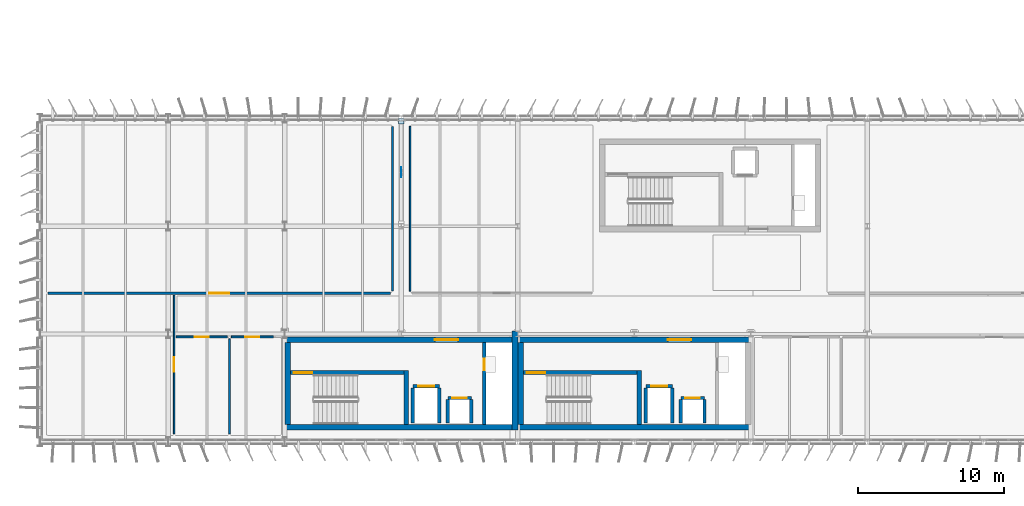
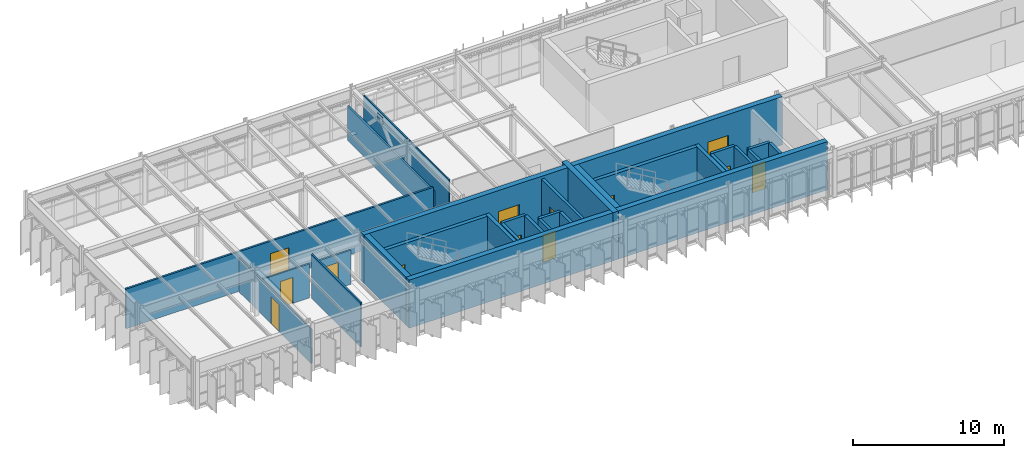
# One storey, part 32 of 45: 31 walls, 13 doors, 2 plates, 13 openings.
"""IFC4 building model written with IfcOpenShell, lengths in metres."""

from ifc_helpers import new_model, si_unit, direction, frame, frame_2d, origin, origin_2d, place, context, subcontext, project, spatial, rectangle, extrude, material, layer, layer_set, type_object, element, fill, save


model = new_model("IFC4")

# Units and contexts
model_context = context("Model", 3, precision=1e-05, world=origin(), true_north=direction((0.0, 1.0)))
body_context = subcontext(model_context, "Body", "Model", "MODEL_VIEW")
ifc_project = project(units=[si_unit("LENGTHUNIT", "METRE"), si_unit("AREAUNIT", "SQUARE_METRE"), si_unit("VOLUMEUNIT", "CUBIC_METRE"), si_unit("PLANEANGLEUNIT", "RADIAN"), si_unit("MASSUNIT", "GRAM", prefix="KILO")], contexts=[model_context])

# Site, building, storey
site_placement = place(None, origin())
site = spatial("IfcSite", under=ifc_project, at=site_placement, CompositionType="ELEMENT")
building_placement = place(site_placement, origin())
building = spatial("IfcBuilding", under=site, at=building_placement, Name="Valkorina Park Police Headquarters", CompositionType="ELEMENT")
storey_placement = place(building_placement, frame((0.0, 0.0, 23.300048828125)))
storey = spatial("IfcBuildingStorey", under=building, at=storey_placement, Name="L06", CompositionType="ELEMENT", Elevation=23.300048828125)

# Plates
ifc_material_1 = material(Name="Steel S355", Category="steel")
ifc_layer_1 = layer(ifc_material_1, 0.02001953125)
ifc_layer_set_1 = layer_set([ifc_layer_1], Name="Steel S355")
plate_type_1 = type_object("IfcPlateType", Name="PL-ENDCAP-20", PredefinedType="USERDEFINED", material=ifc_layer_set_1)
plate_1_placement = place(storey_placement, frame((24.800048828125, 59.02001953125, 0.08984375), z_axis=(0.0, 0.0, 1.0), x_axis=(1.0, 0.0, 0.0)))
element("IfcPlate", 1, at=plate_1_placement, inside=storey, type_object=plate_type_1, Name="Brace Base End Cap Plate 212", ObjectType="END CAP PLATE", PredefinedType="USERDEFINED", context=body_context, shape_type="SweptSolid", body=[
    extrude(rectangle(XDim=0.3798828125, YDim=0.3798828125, at=origin_2d()), origin(), (0.0, 0.0, 1.0), 0.02001953125),
])
ifc_layer_2 = layer(ifc_material_1, 0.01611328125)
ifc_layer_set_2 = layer_set([ifc_layer_2], Name="Steel S355")
plate_type_2 = type_object("IfcPlateType", Name="PL-GUSSET-16", PredefinedType="USERDEFINED", material=ifc_layer_set_2)
plate_2_placement = place(storey_placement, frame((24.800048828125, 55.5, 3.18505859375), z_axis=(0.0, 0.0, 1.0), x_axis=(1.0, 0.0, 0.0)))
element("IfcPlate", 2, at=plate_2_placement, inside=storey, type_object=plate_type_2, Name="Chevron Apex Gusset Plate CBF-12 213", ObjectType="GUSSET PLATE", PredefinedType="USERDEFINED", context=body_context, shape_type="SweptSolid", body=[
    extrude(rectangle(XDim=0.01611328125, YDim=0.699951171875, at=origin_2d()), origin(), (0.0, 0.0, 1.0), 0.550048828125),
])

# Wall, opening, door
ifc_material_2 = material(Name="Acoustic mineral board")
ifc_layer_3 = layer(ifc_material_2, 0.14990234375)
ifc_layer_set_3 = layer_set([ifc_layer_3], Name="Acoustic mineral board")
wall_type_1 = type_object("IfcWallType", Name="WL-ACOUST-150-EI30", PredefinedType="PARTITIONING", material=ifc_layer_set_3)
wall_1_placement = place(storey_placement, frame((0.5400390625, 47.199951171875, 0.0), z_axis=(0.0, 0.0, 1.0), x_axis=(1.0, 0.0, 0.0)))
wall_1 = element("IfcWall", 3, at=wall_1_placement, inside=storey, type_object=wall_type_1, Name="L06 Interior Partition 0243 (L06-MAJ-01)", PredefinedType="PARTITIONING", context=body_context, shape_type="SweptSolid", body=[
    extrude(rectangle(XDim=23.52001953125, YDim=0.14990234375, at=frame_2d((11.760009765625, 0.0))), origin(), (0.0, 0.0, 1.0), 3.2099609375),
])
opening_1_placement = place(wall_1_placement, frame((11.06005859375, 0.0, 0.0)))
opening_1 = element("IfcOpeningElement", 4, at=opening_1_placement, cuts=wall_1, Name="Opening ID-07", PredefinedType="OPENING", context=body_context, shape_type="SweptSolid", body=[
    extrude(rectangle(XDim=1.39990234375, YDim=2.199951171875, at=frame_2d((0.699951171875, 1.10009765625))), frame((0.0, 0.0849609375, 0.0), z_axis=(0.0, -1.0, 0.0), x_axis=(1.0, 0.0, 0.0)), (0.0, 0.0, 1.0), 0.169921875),
])
ifc_material_3 = material(Name="Thermally broken aluminium AW-6060", Category="aluminium")
ifc_layer_4 = layer(ifc_material_3, 0.050048828125)
ifc_layer_set_4 = layer_set([ifc_layer_4], Name="Thermally broken aluminium AW-6060")
door_type_1 = type_object("IfcDoorType", Name="DR-INT-CONF-1400x2200", OperationType="NOTDEFINED", PredefinedType="DOOR", material=ifc_layer_set_4)
door_1_placement = place(opening_1_placement, origin())
door_1 = element("IfcDoor", 5, at=door_1_placement, inside=storey, type_object=door_type_1, Name="Door D-L06-I116 (L06-MAJ-01)", OperationType="SINGLE_SWING_LEFT", OverallHeight=2.199951171875, OverallWidth=1.39990234375, PredefinedType="DOOR", context=body_context, shape_type="SweptSolid", body=[
    extrude(rectangle(XDim=1.39990234375, YDim=2.199951171875, at=frame_2d((0.699951171875, 1.10009765625))), frame((0.0, 0.02490234375, 0.0), z_axis=(0.0, -1.0, 0.0), x_axis=(1.0, 0.0, 0.0)), (0.0, 0.0, 1.0), 0.050048828125),
])
fill(opening_1, door_1)

# Wall
wall_2_placement = place(storey_placement, frame((24.199951171875, 47.340087890625, 0.0), z_axis=(0.0, 0.0, 1.0), x_axis=(0.0, 1.0, 0.0)))
element("IfcWall", 6, at=wall_2_placement, inside=storey, type_object=wall_type_1, Name="L06 Interior Partition 0244 (L06-MAJ-01)", PredefinedType="PARTITIONING", context=body_context, shape_type="SweptSolid", body=[
    extrude(rectangle(XDim=11.31982421875, YDim=0.14990234375, at=frame_2d((5.659912109375, 0.0))), origin(), (0.0, 0.0, 1.0), 2.760009765625),
])

# Wall, opening, door
ifc_material_4 = material(Name="Autoclaved aerated concrete masonry", Category="masonry")
ifc_layer_5 = layer(ifc_material_4, 0.219970703125)
ifc_layer_set_5 = layer_set([ifc_layer_5], Name="Autoclaved aerated concrete masonry")
wall_type_2 = type_object("IfcWallType", Name="WL-CHASE-220-EI60", PredefinedType="PLUMBINGWALL", material=ifc_layer_set_5)
wall_3_placement = place(storey_placement, frame((25.590087890625, 40.81005859375, 0.0), z_axis=(0.0, 0.0, 1.0), x_axis=(1.0, 0.0, 0.0)))
wall_3 = element("IfcWall", 7, at=wall_3_placement, inside=storey, type_object=wall_type_2, Name="Lift LF-01 L06 Shaft Front Wall", PredefinedType="PLUMBINGWALL", context=body_context, shape_type="SweptSolid", body=[
    extrude(rectangle(XDim=1.81982421875, YDim=0.219970703125, at=frame_2d((0.909912109375, 0.0))), origin(), (0.0, 0.0, 1.0), 3.679931640625),
])
opening_2_placement = place(wall_3_placement, frame((0.360107421875, 0.0, 0.0)))
opening_2 = element("IfcOpeningElement", 8, at=opening_2_placement, cuts=wall_3, Name="Opening LD-01", PredefinedType="OPENING", context=body_context, shape_type="SweptSolid", body=[
    extrude(rectangle(XDim=1.10009765625, YDim=2.199951171875, at=frame_2d((0.550048828125, 1.10009765625))), frame((0.0, 0.1201171875, 0.0), z_axis=(0.0, -1.0, 0.0), x_axis=(1.0, 0.0, 0.0)), (0.0, 0.0, 1.0), 0.239990234375),
])
ifc_material_5 = material(Name="Stainless steel EN 1.4404", Category="steel")
ifc_layer_6 = layer(ifc_material_5, 0.050048828125)
ifc_layer_set_6 = layer_set([ifc_layer_6], Name="Stainless steel EN 1.4404")
door_type_2 = type_object("IfcDoorType", Name="DR-LIFT-FF-1100x2200", OperationType="NOTDEFINED", PredefinedType="DOOR", material=ifc_layer_set_6)
door_2_placement = place(opening_2_placement, origin())
door_2 = element("IfcDoor", 9, at=door_2_placement, inside=storey, type_object=door_type_2, Name="Lift Landing Door LF-01-L06", OperationType="DOUBLE_DOOR_SLIDING", OverallHeight=2.199951171875, OverallWidth=1.10009765625, PredefinedType="DOOR", context=body_context, shape_type="SweptSolid", body=[
    extrude(rectangle(XDim=1.10009765625, YDim=2.199951171875, at=frame_2d((0.550048828125, 1.10009765625))), frame((0.0, 0.02490234375, 0.0), z_axis=(0.0, -1.0, 0.0), x_axis=(1.0, 0.0, 0.0)), (0.0, 0.0, 1.0), 0.050048828125),
])
fill(opening_2, door_2)

# Walls
for number, where, z_axis, x_axis, name in (
    (10, (25.590087890625, 38.300048828125, 0.0), (0.0, 0.0, 1.0), (0.0, 1.0, 0.0), "Lift LF-01 L06 Shaft Side Wall W"),
    (11, (27.409912109375, 38.300048828125, 0.0), (0.0, 0.0, 1.0), (0.0, 1.0, 0.0), "Lift LF-01 L06 Shaft Side Wall E"),
):
    element("IfcWall", number, at=place(storey_placement, frame(where, z_axis=z_axis, x_axis=x_axis)), inside=storey, type_object=wall_type_2, Name=name, PredefinedType="PLUMBINGWALL", context=body_context, shape_type="SweptSolid", body=[
        extrude(rectangle(XDim=2.39990234375, YDim=0.219970703125, at=frame_2d((1.199951171875, 0.0))), origin(), (0.0, 0.0, 1.0), 3.679931640625),
    ])

# Wall, opening, door
wall_4_placement = place(storey_placement, frame((27.989990234375, 40.010009765625, 0.0), z_axis=(0.0, 0.0, 1.0), x_axis=(1.0, 0.0, 0.0)))
wall_4 = element("IfcWall", 12, at=wall_4_placement, inside=storey, type_object=wall_type_2, Name="Lift LF-03 L06 Shaft Front Wall", PredefinedType="PLUMBINGWALL", context=body_context, shape_type="SweptSolid", body=[
    extrude(rectangle(XDim=1.6201171875, YDim=0.219970703125, at=frame_2d((0.81005859375, 0.0))), origin(), (0.0, 0.0, 1.0), 3.679931640625),
])
opening_3_placement = place(wall_4_placement, frame((0.31005859375, 0.0, 0.0)))
opening_3 = element("IfcOpeningElement", 13, at=opening_3_placement, cuts=wall_4, Name="Opening LD-02", PredefinedType="OPENING", context=body_context, shape_type="SweptSolid", body=[
    extrude(rectangle(XDim=1.0, YDim=2.199951171875, at=frame_2d((0.5, 1.10009765625))), frame((0.0, 0.1201171875, 0.0), z_axis=(0.0, -1.0, 0.0), x_axis=(1.0, 0.0, 0.0)), (0.0, 0.0, 1.0), 0.239990234375),
])
ifc_layer_7 = layer(ifc_material_5, 0.050048828125)
ifc_layer_set_7 = layer_set([ifc_layer_7], Name="Stainless steel EN 1.4404")
door_type_3 = type_object("IfcDoorType", Name="DR-LIFT-PAX-1000x2200", OperationType="NOTDEFINED", PredefinedType="DOOR", material=ifc_layer_set_7)
door_3_placement = place(opening_3_placement, origin())
door_3 = element("IfcDoor", 14, at=door_3_placement, inside=storey, type_object=door_type_3, Name="Lift Landing Door LF-03-L06", OperationType="DOUBLE_DOOR_SLIDING", OverallHeight=2.199951171875, OverallWidth=1.0, PredefinedType="DOOR", context=body_context, shape_type="SweptSolid", body=[
    extrude(rectangle(XDim=1.0, YDim=2.199951171875, at=frame_2d((0.5, 1.10009765625))), frame((0.0, 0.02490234375, 0.0), z_axis=(0.0, -1.0, 0.0), x_axis=(1.0, 0.0, 0.0)), (0.0, 0.0, 1.0), 0.050048828125),
])
fill(opening_3, door_3)

# Walls
for number, where, z_axis, x_axis, name in (
    (15, (27.989990234375, 38.300048828125, 0.0), (0.0, 0.0, 1.0), (0.0, 1.0, 0.0), "Lift LF-03 L06 Shaft Side Wall W"),
    (16, (29.610107421875, 38.300048828125, 0.0), (0.0, 0.0, 1.0), (0.0, 1.0, 0.0), "Lift LF-03 L06 Shaft Side Wall E"),
):
    element("IfcWall", number, at=place(storey_placement, frame(where, z_axis=z_axis, x_axis=x_axis)), inside=storey, type_object=wall_type_2, Name=name, PredefinedType="PLUMBINGWALL", context=body_context, shape_type="SweptSolid", body=[
        extrude(rectangle(XDim=1.599853515625, YDim=0.219970703125, at=frame_2d((0.7998046875, 0.0))), origin(), (0.0, 0.0, 1.0), 3.679931640625),
    ])

# Wall, opening, door
wall_5_placement = place(storey_placement, frame((30.489990234375, 38.199951171875, 0.0), z_axis=(0.0, 0.0, 1.0), x_axis=(0.0, 1.0, 0.0)))
wall_5 = element("IfcWall", 17, at=wall_5_placement, inside=storey, type_object=wall_type_2, Name="Core C1 L06 Riser Shaft West Wall", PredefinedType="PLUMBINGWALL", context=body_context, shape_type="SweptSolid", body=[
    extrude(rectangle(XDim=5.60009765625, YDim=0.219970703125, at=frame_2d((2.800048828125, 0.0))), origin(), (0.0, 0.0, 1.0), 3.679931640625),
])
opening_4_placement = place(wall_5_placement, frame((3.699951171875, 0.0, 0.0)))
opening_4 = element("IfcOpeningElement", 18, at=opening_4_placement, cuts=wall_5, Name="Opening ID-01", PredefinedType="OPENING", context=body_context, shape_type="SweptSolid", body=[
    extrude(rectangle(XDim=0.800048828125, YDim=2.10009765625, at=frame_2d((0.39990234375, 1.050048828125))), frame((0.0, 0.1201171875, 0.0), z_axis=(0.0, -1.0, 0.0), x_axis=(1.0, 0.0, 0.0)), (0.0, 0.0, 1.0), 0.239990234375),
])
ifc_material_6 = material(Name="Galvanized steel door leaf", Category="steel")
ifc_layer_8 = layer(ifc_material_6, 0.050048828125)
ifc_layer_set_8 = layer_set([ifc_layer_8], Name="Galvanized steel door leaf")
door_type_4 = type_object("IfcDoorType", Name="DR-INT-RISER-800x2100", OperationType="NOTDEFINED", PredefinedType="DOOR", material=ifc_layer_set_8)
door_4_placement = place(opening_4_placement, origin())
door_4 = element("IfcDoor", 19, at=door_4_placement, inside=storey, type_object=door_type_4, Name="Riser Shaft Access Door C1-L06", OperationType="SINGLE_SWING_LEFT", OverallHeight=2.10009765625, OverallWidth=0.800048828125, PredefinedType="DOOR", context=body_context, shape_type="SweptSolid", body=[
    extrude(rectangle(XDim=0.800048828125, YDim=2.10009765625, at=frame_2d((0.39990234375, 1.050048828125))), frame((0.0, 0.02490234375, 0.0), z_axis=(0.0, -1.0, 0.0), x_axis=(1.0, 0.0, 0.0)), (0.0, 0.0, 1.0), 0.050048828125),
])
fill(opening_4, door_4)

wall_6_placement = place(storey_placement, frame((41.590087890625, 40.81005859375, 0.0), z_axis=(0.0, 0.0, 1.0), x_axis=(1.0, 0.0, 0.0)))
wall_6 = element("IfcWall", 20, at=wall_6_placement, inside=storey, type_object=wall_type_2, Name="Lift LF-02 L06 Shaft Front Wall", PredefinedType="PLUMBINGWALL", context=body_context, shape_type="SweptSolid", body=[
    extrude(rectangle(XDim=1.81982421875, YDim=0.219970703125, at=frame_2d((0.909912109375, 0.0))), origin(), (0.0, 0.0, 1.0), 3.679931640625),
])
opening_5_placement = place(wall_6_placement, frame((0.360107421875, 0.0, 0.0)))
opening_5 = element("IfcOpeningElement", 21, at=opening_5_placement, cuts=wall_6, Name="Opening LD-01", PredefinedType="OPENING", context=body_context, shape_type="SweptSolid", body=[
    extrude(rectangle(XDim=1.10009765625, YDim=2.199951171875, at=frame_2d((0.550048828125, 1.10009765625))), frame((0.0, 0.1201171875, 0.0), z_axis=(0.0, -1.0, 0.0), x_axis=(1.0, 0.0, 0.0)), (0.0, 0.0, 1.0), 0.239990234375),
])
door_5_placement = place(opening_5_placement, origin())
door_5 = element("IfcDoor", 22, at=door_5_placement, inside=storey, type_object=door_type_2, Name="Lift Landing Door LF-02-L06", OperationType="DOUBLE_DOOR_SLIDING", OverallHeight=2.199951171875, OverallWidth=1.10009765625, PredefinedType="DOOR", context=body_context, shape_type="SweptSolid", body=[
    extrude(rectangle(XDim=1.10009765625, YDim=2.199951171875, at=frame_2d((0.550048828125, 1.10009765625))), frame((0.0, 0.02490234375, 0.0), z_axis=(0.0, -1.0, 0.0), x_axis=(1.0, 0.0, 0.0)), (0.0, 0.0, 1.0), 0.050048828125),
])
fill(opening_5, door_5)

# Walls
for number, where, z_axis, x_axis, name in (
    (23, (41.590087890625, 38.300048828125, 0.0), (0.0, 0.0, 1.0), (0.0, 1.0, 0.0), "Lift LF-02 L06 Shaft Side Wall W"),
    (24, (43.409912109375, 38.300048828125, 0.0), (0.0, 0.0, 1.0), (0.0, 1.0, 0.0), "Lift LF-02 L06 Shaft Side Wall E"),
):
    element("IfcWall", number, at=place(storey_placement, frame(where, z_axis=z_axis, x_axis=x_axis)), inside=storey, type_object=wall_type_2, Name=name, PredefinedType="PLUMBINGWALL", context=body_context, shape_type="SweptSolid", body=[
        extrude(rectangle(XDim=2.39990234375, YDim=0.219970703125, at=frame_2d((1.199951171875, 0.0))), origin(), (0.0, 0.0, 1.0), 3.679931640625),
    ])

# Wall, opening, door
wall_7_placement = place(storey_placement, frame((43.989990234375, 40.010009765625, 0.0), z_axis=(0.0, 0.0, 1.0), x_axis=(1.0, 0.0, 0.0)))
wall_7 = element("IfcWall", 25, at=wall_7_placement, inside=storey, type_object=wall_type_2, Name="Lift LF-04 L06 Shaft Front Wall", PredefinedType="PLUMBINGWALL", context=body_context, shape_type="SweptSolid", body=[
    extrude(rectangle(XDim=1.6201171875, YDim=0.219970703125, at=frame_2d((0.81005859375, 0.0))), origin(), (0.0, 0.0, 1.0), 3.679931640625),
])
opening_6_placement = place(wall_7_placement, frame((0.31005859375, 0.0, 0.0)))
opening_6 = element("IfcOpeningElement", 26, at=opening_6_placement, cuts=wall_7, Name="Opening LD-02", PredefinedType="OPENING", context=body_context, shape_type="SweptSolid", body=[
    extrude(rectangle(XDim=1.0, YDim=2.199951171875, at=frame_2d((0.5, 1.10009765625))), frame((0.0, 0.1201171875, 0.0), z_axis=(0.0, -1.0, 0.0), x_axis=(1.0, 0.0, 0.0)), (0.0, 0.0, 1.0), 0.239990234375),
])
door_6_placement = place(opening_6_placement, origin())
door_6 = element("IfcDoor", 27, at=door_6_placement, inside=storey, type_object=door_type_3, Name="Lift Landing Door LF-04-L06", OperationType="DOUBLE_DOOR_SLIDING", OverallHeight=2.199951171875, OverallWidth=1.0, PredefinedType="DOOR", context=body_context, shape_type="SweptSolid", body=[
    extrude(rectangle(XDim=1.0, YDim=2.199951171875, at=frame_2d((0.5, 1.10009765625))), frame((0.0, 0.02490234375, 0.0), z_axis=(0.0, -1.0, 0.0), x_axis=(1.0, 0.0, 0.0)), (0.0, 0.0, 1.0), 0.050048828125),
])
fill(opening_6, door_6)

# Walls
for number, where, z_axis, x_axis, name in (
    (28, (43.989990234375, 38.300048828125, 0.0), (0.0, 0.0, 1.0), (0.0, 1.0, 0.0), "Lift LF-04 L06 Shaft Side Wall W"),
    (29, (45.610107421875, 38.300048828125, 0.0), (0.0, 0.0, 1.0), (0.0, 1.0, 0.0), "Lift LF-04 L06 Shaft Side Wall E"),
):
    element("IfcWall", number, at=place(storey_placement, frame(where, z_axis=z_axis, x_axis=x_axis)), inside=storey, type_object=wall_type_2, Name=name, PredefinedType="PLUMBINGWALL", context=body_context, shape_type="SweptSolid", body=[
        extrude(rectangle(XDim=1.599853515625, YDim=0.219970703125, at=frame_2d((0.7998046875, 0.0))), origin(), (0.0, 0.0, 1.0), 3.679931640625),
    ])
ifc_material_7 = material(Name="Concrete C40/50", Category="concrete")
ifc_layer_9 = layer(ifc_material_7, 0.39990234375)
ifc_layer_set_9 = layer_set([ifc_layer_9], Name="Concrete C40/50")
wall_type_3 = type_object("IfcWallType", Name="WL-CORE-400-REI180", PredefinedType="SHEAR", material=ifc_layer_set_9)
wall_8_placement = place(storey_placement, frame((16.800048828125, 38.0, 0.0), z_axis=(0.0, 0.0, 1.0), x_axis=(1.0, 0.0, 0.0)))
element("IfcWall", 30, at=wall_8_placement, inside=storey, type_object=wall_type_3, Name="Core C1 L06 Shear Wall S", PredefinedType="SHEAR", context=body_context, shape_type="SweptSolid", body=[
    extrude(rectangle(XDim=16.39990234375, YDim=0.39990234375, at=frame_2d((8.199951171875, 0.0))), origin(), (0.0, 0.0, 1.0), 3.89501953125),
])

# Wall, opening, door
wall_9_placement = place(storey_placement, frame((16.800048828125, 44.0, 0.0), z_axis=(0.0, 0.0, 1.0), x_axis=(1.0, 0.0, 0.0)))
wall_9 = element("IfcWall", 31, at=wall_9_placement, inside=storey, type_object=wall_type_3, Name="Core C1 L06 Shear Wall N", PredefinedType="SHEAR", context=body_context, shape_type="SweptSolid", body=[
    extrude(rectangle(XDim=16.39990234375, YDim=0.39990234375, at=frame_2d((8.199951171875, 0.0))), origin(), (0.0, 0.0, 1.0), 3.89501953125),
])
opening_7_placement = place(wall_9_placement, frame((10.300048828125, 0.0, 0.0)))
opening_7 = element("IfcOpeningElement", 32, at=opening_7_placement, cuts=wall_9, Name="Opening FD-04", PredefinedType="OPENING", context=body_context, shape_type="SweptSolid", body=[
    extrude(rectangle(XDim=1.60009765625, YDim=2.199951171875, at=frame_2d((0.800048828125, 1.10009765625))), frame((0.0, 0.2099609375, 0.0), z_axis=(0.0, -1.0, 0.0), x_axis=(1.0, 0.0, 0.0)), (0.0, 0.0, 1.0), 0.419921875),
])
ifc_layer_10 = layer(ifc_material_6, 0.050048828125)
ifc_layer_set_10 = layer_set([ifc_layer_10], Name="Galvanized steel door leaf")
door_type_5 = type_object("IfcDoorType", Name="DR-FIRE-FFL-1600x2200", OperationType="NOTDEFINED", PredefinedType="DOOR", material=ifc_layer_set_10)
door_7_placement = place(opening_7_placement, origin())
door_7 = element("IfcDoor", 33, at=door_7_placement, inside=storey, type_object=door_type_5, Name="Door D-L06-FFL-C1 (Firefighting Lift Lobby Door)", OperationType="DOUBLE_DOOR_SINGLE_SWING", OverallHeight=2.199951171875, OverallWidth=1.60009765625, PredefinedType="DOOR", context=body_context, shape_type="SweptSolid", body=[
    extrude(rectangle(XDim=1.60009765625, YDim=2.199951171875, at=frame_2d((0.800048828125, 1.10009765625))), frame((0.0, 0.02490234375, 0.0), z_axis=(0.0, -1.0, 0.0), x_axis=(1.0, 0.0, 0.0)), (0.0, 0.0, 1.0), 0.050048828125),
])
fill(opening_7, door_7)

# Walls
wall_10_placement = place(storey_placement, frame((17.0, 38.199951171875, 0.0), z_axis=(0.0, 0.0, 1.0), x_axis=(0.0, 1.0, 0.0)))
element("IfcWall", 34, at=wall_10_placement, inside=storey, type_object=wall_type_3, Name="Core C1 L06 Shear Wall W", PredefinedType="SHEAR", context=body_context, shape_type="SweptSolid", body=[
    extrude(rectangle(XDim=5.60009765625, YDim=0.39990234375, at=frame_2d((2.800048828125, 0.0))), origin(), (0.0, 0.0, 1.0), 3.89501953125),
])
wall_11_placement = place(storey_placement, frame((32.60009765625, 37.800048828125, 0.0), z_axis=(0.0, 0.0, 1.0), x_axis=(0.0, 1.0, 0.0)))
element("IfcWall", 35, at=wall_11_placement, inside=storey, type_object=wall_type_3, Name="Core C1 L06 Shear Wall E", PredefinedType="SHEAR", context=body_context, shape_type="SweptSolid", body=[
    extrude(rectangle(XDim=6.800048828125, YDim=0.39990234375, at=frame_2d((3.39990234375, 0.0))), origin(), (0.0, 0.0, 1.0), 3.89501953125),
])
wall_12_placement = place(storey_placement, frame((32.800048828125, 38.0, 0.0), z_axis=(0.0, 0.0, 1.0), x_axis=(1.0, 0.0, 0.0)))
element("IfcWall", 36, at=wall_12_placement, inside=storey, type_object=wall_type_3, Name="Core C2 L06 Shear Wall S", PredefinedType="SHEAR", context=body_context, shape_type="SweptSolid", body=[
    extrude(rectangle(XDim=16.0, YDim=0.39990234375, at=frame_2d((8.0, 0.0))), origin(), (0.0, 0.0, 1.0), 3.89501953125),
])

# Wall, opening, door
wall_13_placement = place(storey_placement, frame((32.800048828125, 44.0, 0.0), z_axis=(0.0, 0.0, 1.0), x_axis=(1.0, 0.0, 0.0)))
wall_13 = element("IfcWall", 37, at=wall_13_placement, inside=storey, type_object=wall_type_3, Name="Core C2 L06 Shear Wall N", PredefinedType="SHEAR", context=body_context, shape_type="SweptSolid", body=[
    extrude(rectangle(XDim=16.0, YDim=0.39990234375, at=frame_2d((8.0, 0.0))), origin(), (0.0, 0.0, 1.0), 3.89501953125),
])
opening_8_placement = place(wall_13_placement, frame((10.300048828125, 0.0, 0.0)))
opening_8 = element("IfcOpeningElement", 38, at=opening_8_placement, cuts=wall_13, Name="Opening FD-04", PredefinedType="OPENING", context=body_context, shape_type="SweptSolid", body=[
    extrude(rectangle(XDim=1.60009765625, YDim=2.199951171875, at=frame_2d((0.800048828125, 1.10009765625))), frame((0.0, 0.2099609375, 0.0), z_axis=(0.0, -1.0, 0.0), x_axis=(1.0, 0.0, 0.0)), (0.0, 0.0, 1.0), 0.419921875),
])
door_8_placement = place(opening_8_placement, origin())
door_8 = element("IfcDoor", 39, at=door_8_placement, inside=storey, type_object=door_type_5, Name="Door D-L06-FFL-C2 (Firefighting Lift Lobby Door)", OperationType="DOUBLE_DOOR_SINGLE_SWING", OverallHeight=2.199951171875, OverallWidth=1.60009765625, PredefinedType="DOOR", context=body_context, shape_type="SweptSolid", body=[
    extrude(rectangle(XDim=1.60009765625, YDim=2.199951171875, at=frame_2d((0.800048828125, 1.10009765625))), frame((0.0, 0.02490234375, 0.0), z_axis=(0.0, -1.0, 0.0), x_axis=(1.0, 0.0, 0.0)), (0.0, 0.0, 1.0), 0.050048828125),
])
fill(opening_8, door_8)

# Wall
wall_14_placement = place(storey_placement, frame((33.0, 38.199951171875, 0.0), z_axis=(0.0, 0.0, 1.0), x_axis=(0.0, 1.0, 0.0)))
element("IfcWall", 40, at=wall_14_placement, inside=storey, type_object=wall_type_3, Name="Core C2 L06 Shear Wall W", PredefinedType="SHEAR", context=body_context, shape_type="SweptSolid", body=[
    extrude(rectangle(XDim=5.60009765625, YDim=0.39990234375, at=frame_2d((2.800048828125, 0.0))), origin(), (0.0, 0.0, 1.0), 3.89501953125),
])

# Wall, opening, door
ifc_material_8 = material(Name="Gypsum plasterboard")
ifc_layer_11 = layer(ifc_material_8, 0.10009765625)
ifc_layer_set_11 = layer_set([ifc_layer_11], Name="Gypsum plasterboard")
wall_type_4 = type_object("IfcWallType", Name="WL-PART-100", PredefinedType="PARTITIONING", material=ifc_layer_set_11)
wall_15_placement = place(storey_placement, frame((9.199951171875, 37.5400390625, 0.0), z_axis=(0.0, 0.0, 1.0), x_axis=(0.0, 1.0, 0.0)))
wall_15 = element("IfcWall", 41, at=wall_15_placement, inside=storey, type_object=wall_type_4, Name="L06 Interior Partition 0245 (L06-MAJ-02)", PredefinedType="PARTITIONING", context=body_context, shape_type="SweptSolid", body=[
    extrude(rectangle(XDim=9.52001953125, YDim=0.10009765625, at=frame_2d((4.760009765625, 0.0))), origin(), (0.0, 0.0, 1.0), 2.760009765625),
])
opening_9_placement = place(wall_15_placement, frame((4.260009765625, 0.0, 0.0)))
opening_9 = element("IfcOpeningElement", 42, at=opening_9_placement, cuts=wall_15, Name="Opening ID-04", PredefinedType="OPENING", context=body_context, shape_type="SweptSolid", body=[
    extrude(rectangle(XDim=1.0, YDim=2.199951171875, at=frame_2d((0.5, 1.10009765625))), frame((0.0, 0.06005859375, 0.0), z_axis=(0.0, -1.0, 0.0), x_axis=(1.0, 0.0, 0.0)), (0.0, 0.0, 1.0), 0.1201171875),
])
ifc_layer_12 = layer(ifc_material_3, 0.050048828125)
ifc_layer_set_12 = layer_set([ifc_layer_12], Name="Thermally broken aluminium AW-6060")
door_type_6 = type_object("IfcDoorType", Name="DR-INT-OFF-1000x2200", OperationType="NOTDEFINED", PredefinedType="DOOR", material=ifc_layer_set_12)
door_9_placement = place(opening_9_placement, origin())
door_9 = element("IfcDoor", 43, at=door_9_placement, inside=storey, type_object=door_type_6, Name="Door D-L06-I117 (L06-MAJ-02)", OperationType="SINGLE_SWING_RIGHT", OverallHeight=2.199951171875, OverallWidth=1.0, PredefinedType="DOOR", context=body_context, shape_type="SweptSolid", body=[
    extrude(rectangle(XDim=1.0, YDim=2.199951171875, at=frame_2d((0.5, 1.10009765625))), frame((0.0, 0.02490234375, 0.0), z_axis=(0.0, -1.0, 0.0), x_axis=(1.0, 0.0, 0.0)), (0.0, 0.0, 1.0), 0.050048828125),
])
fill(opening_9, door_9)

# Wall
wall_16_placement = place(storey_placement, frame((25.39990234375, 47.340087890625, 0.0), z_axis=(0.0, 0.0, 1.0), x_axis=(0.0, 1.0, 0.0)))
element("IfcWall", 44, at=wall_16_placement, inside=storey, type_object=wall_type_4, Name="L06 Interior Partition 0252 (L06-MAJ-03)", PredefinedType="PARTITIONING", context=body_context, shape_type="SweptSolid", body=[
    extrude(rectangle(XDim=11.31982421875, YDim=0.10009765625, at=frame_2d((5.659912109375, 0.0))), origin(), (0.0, 0.0, 1.0), 3.2099609375),
])

# Wall, opening, door
ifc_layer_13 = layer(ifc_material_8, 0.125)
ifc_layer_set_13 = layer_set([ifc_layer_13], Name="Gypsum plasterboard")
wall_type_5 = type_object("IfcWallType", Name="WL-PART-125-EI30", PredefinedType="PARTITIONING", material=ifc_layer_set_13)
wall_17_placement = place(storey_placement, frame((9.340087890625, 44.199951171875, 0.0), z_axis=(0.0, 0.0, 1.0), x_axis=(1.0, 0.0, 0.0)))
wall_17 = element("IfcWall", 45, at=wall_17_placement, inside=storey, type_object=wall_type_5, Name="L06 Interior Partition 0246 (L06-WC-M)", PredefinedType="PARTITIONING", context=body_context, shape_type="SweptSolid", body=[
    extrude(rectangle(XDim=3.52001953125, YDim=0.125, at=frame_2d((1.760009765625, 0.0))), origin(), (0.0, 0.0, 1.0), 2.760009765625),
])
opening_10_placement = place(wall_17_placement, frame((1.284912109375, 0.0, 0.0)))
opening_10 = element("IfcOpeningElement", 46, at=opening_10_placement, cuts=wall_17, Name="Opening ID-02", PredefinedType="OPENING", context=body_context, shape_type="SweptSolid", body=[
    extrude(rectangle(XDim=0.949951171875, YDim=2.10009765625, at=frame_2d((0.47509765625, 1.050048828125))), frame((0.0, 0.072509765625, 0.0), z_axis=(0.0, -1.0, 0.0), x_axis=(1.0, 0.0, 0.0)), (0.0, 0.0, 1.0), 0.14501953125),
])
ifc_layer_14 = layer(ifc_material_3, 0.050048828125)
ifc_layer_set_14 = layer_set([ifc_layer_14], Name="Thermally broken aluminium AW-6060")
door_type_7 = type_object("IfcDoorType", Name="DR-INT-WC-950x2100", OperationType="NOTDEFINED", PredefinedType="DOOR", material=ifc_layer_set_14)
door_10_placement = place(opening_10_placement, origin())
door_10 = element("IfcDoor", 47, at=door_10_placement, inside=storey, type_object=door_type_7, Name="Door D-L06-I118 (L06-WC-M)", OperationType="SINGLE_SWING_LEFT", OverallHeight=2.10009765625, OverallWidth=0.949951171875, PredefinedType="DOOR", context=body_context, shape_type="SweptSolid", body=[
    extrude(rectangle(XDim=0.949951171875, YDim=2.10009765625, at=frame_2d((0.47509765625, 1.050048828125))), frame((0.0, 0.02490234375, 0.0), z_axis=(0.0, -1.0, 0.0), x_axis=(1.0, 0.0, 0.0)), (0.0, 0.0, 1.0), 0.050048828125),
])
fill(opening_10, door_10)

# Wall
wall_18_placement = place(storey_placement, frame((13.0, 37.5400390625, 0.0), z_axis=(0.0, 0.0, 1.0), x_axis=(0.0, 1.0, 0.0)))
element("IfcWall", 48, at=wall_18_placement, inside=storey, type_object=wall_type_5, Name="L06 Interior Partition 0247 (L06-WC-M)", PredefinedType="PARTITIONING", context=body_context, shape_type="SweptSolid", body=[
    extrude(rectangle(XDim=6.52001953125, YDim=0.125, at=frame_2d((3.260009765625, 0.0))), origin(), (0.0, 0.0, 1.0), 3.570068359375),
])

# Wall, opening, door
wall_19_placement = place(storey_placement, frame((13.139892578125, 44.199951171875, 0.0), z_axis=(0.0, 0.0, 1.0), x_axis=(1.0, 0.0, 0.0)))
wall_19 = element("IfcWall", 49, at=wall_19_placement, inside=storey, type_object=wall_type_5, Name="L06 Interior Partition 0248 (L06-WC-F)", PredefinedType="PARTITIONING", context=body_context, shape_type="SweptSolid", body=[
    extrude(rectangle(XDim=2.8701171875, YDim=0.125, at=frame_2d((1.43505859375, 0.0))), origin(), (0.0, 0.0, 1.0), 2.760009765625),
])
opening_11_placement = place(wall_19_placement, frame((0.9599609375, 0.0, 0.0)))
opening_11 = element("IfcOpeningElement", 50, at=opening_11_placement, cuts=wall_19, Name="Opening ID-02", PredefinedType="OPENING", context=body_context, shape_type="SweptSolid", body=[
    extrude(rectangle(XDim=0.949951171875, YDim=2.10009765625, at=frame_2d((0.47509765625, 1.050048828125))), frame((0.0, 0.072509765625, 0.0), z_axis=(0.0, -1.0, 0.0), x_axis=(1.0, 0.0, 0.0)), (0.0, 0.0, 1.0), 0.14501953125),
])
door_11_placement = place(opening_11_placement, origin())
door_11 = element("IfcDoor", 51, at=door_11_placement, inside=storey, type_object=door_type_7, Name="Door D-L06-I119 (L06-WC-F)", OperationType="SINGLE_SWING_RIGHT", OverallHeight=2.10009765625, OverallWidth=0.949951171875, PredefinedType="DOOR", context=body_context, shape_type="SweptSolid", body=[
    extrude(rectangle(XDim=0.949951171875, YDim=2.10009765625, at=frame_2d((0.47509765625, 1.050048828125))), frame((0.0, 0.02490234375, 0.0), z_axis=(0.0, -1.0, 0.0), x_axis=(1.0, 0.0, 0.0)), (0.0, 0.0, 1.0), 0.050048828125),
])
fill(opening_11, door_11)

# Wall
ifc_layer_15 = layer(ifc_material_7, 0.280029296875)
ifc_layer_set_15 = layer_set([ifc_layer_15], Name="Concrete C40/50")
wall_type_6 = type_object("IfcWallType", Name="WL-STAIR-280-REI120", PredefinedType="SHEAR", material=ifc_layer_set_15)
wall_20_placement = place(storey_placement, frame((25.139892578125, 38.199951171875, 0.0), z_axis=(0.0, 0.0, 1.0), x_axis=(0.0, 1.0, 0.0)))
element("IfcWall", 52, at=wall_20_placement, inside=storey, type_object=wall_type_6, Name="Core C1 L06 Shear Wall DIV", PredefinedType="SHEAR", context=body_context, shape_type="SweptSolid", body=[
    extrude(rectangle(XDim=3.679931640625, YDim=0.280029296875, at=frame_2d((1.83984375, 0.0))), origin(), (0.0, 0.0, 1.0), 3.89501953125),
])

# Wall, opening, door
wall_21_placement = place(storey_placement, frame((17.199951171875, 41.739990234375, 0.0), z_axis=(0.0, 0.0, 1.0), x_axis=(1.0, 0.0, 0.0)))
wall_21 = element("IfcWall", 53, at=wall_21_placement, inside=storey, type_object=wall_type_6, Name="Core C1 L06 Shear Wall SIDE", PredefinedType="SHEAR", context=body_context, shape_type="SweptSolid", body=[
    extrude(rectangle(XDim=7.800048828125, YDim=0.280029296875, at=frame_2d((3.89990234375, 0.0))), origin(), (0.0, 0.0, 1.0), 3.89501953125),
])
opening_12_placement = place(wall_21_placement, frame((0.199951171875, 0.0, 0.0)))
opening_12 = element("IfcOpeningElement", 54, at=opening_12_placement, cuts=wall_21, Name="Opening FD-03", PredefinedType="OPENING", context=body_context, shape_type="SweptSolid", body=[
    extrude(rectangle(XDim=1.300048828125, YDim=2.199951171875, at=frame_2d((0.64990234375, 1.10009765625))), frame((0.0, 0.14990234375, 0.0), z_axis=(0.0, -1.0, 0.0), x_axis=(1.0, 0.0, 0.0)), (0.0, 0.0, 1.0), 0.300048828125),
])
ifc_layer_16 = layer(ifc_material_6, 0.050048828125)
ifc_layer_set_16 = layer_set([ifc_layer_16], Name="Galvanized steel door leaf")
door_type_8 = type_object("IfcDoorType", Name="DR-FIRE-STAIR-1300x2200", OperationType="NOTDEFINED", PredefinedType="DOOR", material=ifc_layer_set_16)
door_12_placement = place(opening_12_placement, origin())
door_12 = element("IfcDoor", 55, at=door_12_placement, inside=storey, type_object=door_type_8, Name="Door D-L06-C031 (ST-01 Stair Fire Door)", OperationType="SINGLE_SWING_RIGHT", OverallHeight=2.199951171875, OverallWidth=1.300048828125, PredefinedType="DOOR", context=body_context, shape_type="SweptSolid", body=[
    extrude(rectangle(XDim=1.300048828125, YDim=2.199951171875, at=frame_2d((0.64990234375, 1.10009765625))), frame((0.0, 0.02490234375, 0.0), z_axis=(0.0, -1.0, 0.0), x_axis=(1.0, 0.0, 0.0)), (0.0, 0.0, 1.0), 0.050048828125),
])
fill(opening_12, door_12)

# Wall
wall_22_placement = place(storey_placement, frame((41.139892578125, 38.199951171875, 0.0), z_axis=(0.0, 0.0, 1.0), x_axis=(0.0, 1.0, 0.0)))
element("IfcWall", 56, at=wall_22_placement, inside=storey, type_object=wall_type_6, Name="Core C2 L06 Shear Wall DIV", PredefinedType="SHEAR", context=body_context, shape_type="SweptSolid", body=[
    extrude(rectangle(XDim=3.679931640625, YDim=0.280029296875, at=frame_2d((1.83984375, 0.0))), origin(), (0.0, 0.0, 1.0), 3.89501953125),
])

# Wall, opening, door
wall_23_placement = place(storey_placement, frame((33.199951171875, 41.739990234375, 0.0), z_axis=(0.0, 0.0, 1.0), x_axis=(1.0, 0.0, 0.0)))
wall_23 = element("IfcWall", 57, at=wall_23_placement, inside=storey, type_object=wall_type_6, Name="Core C2 L06 Shear Wall SIDE", PredefinedType="SHEAR", context=body_context, shape_type="SweptSolid", body=[
    extrude(rectangle(XDim=7.800048828125, YDim=0.280029296875, at=frame_2d((3.89990234375, 0.0))), origin(), (0.0, 0.0, 1.0), 3.89501953125),
])
opening_13_placement = place(wall_23_placement, frame((0.199951171875, 0.0, 0.0)))
opening_13 = element("IfcOpeningElement", 58, at=opening_13_placement, cuts=wall_23, Name="Opening FD-03", PredefinedType="OPENING", context=body_context, shape_type="SweptSolid", body=[
    extrude(rectangle(XDim=1.300048828125, YDim=2.199951171875, at=frame_2d((0.64990234375, 1.10009765625))), frame((0.0, 0.14990234375, 0.0), z_axis=(0.0, -1.0, 0.0), x_axis=(1.0, 0.0, 0.0)), (0.0, 0.0, 1.0), 0.300048828125),
])
door_13_placement = place(opening_13_placement, origin())
door_13 = element("IfcDoor", 59, at=door_13_placement, inside=storey, type_object=door_type_8, Name="Door D-L06-C076 (ST-02 Stair Fire Door)", OperationType="SINGLE_SWING_LEFT", OverallHeight=2.199951171875, OverallWidth=1.300048828125, PredefinedType="DOOR", context=body_context, shape_type="SweptSolid", body=[
    extrude(rectangle(XDim=1.300048828125, YDim=2.199951171875, at=frame_2d((0.64990234375, 1.10009765625))), frame((0.0, 0.02490234375, 0.0), z_axis=(0.0, -1.0, 0.0), x_axis=(1.0, 0.0, 0.0)), (0.0, 0.0, 1.0), 0.050048828125),
])
fill(opening_13, door_13)

save(model, "model.ifc")
